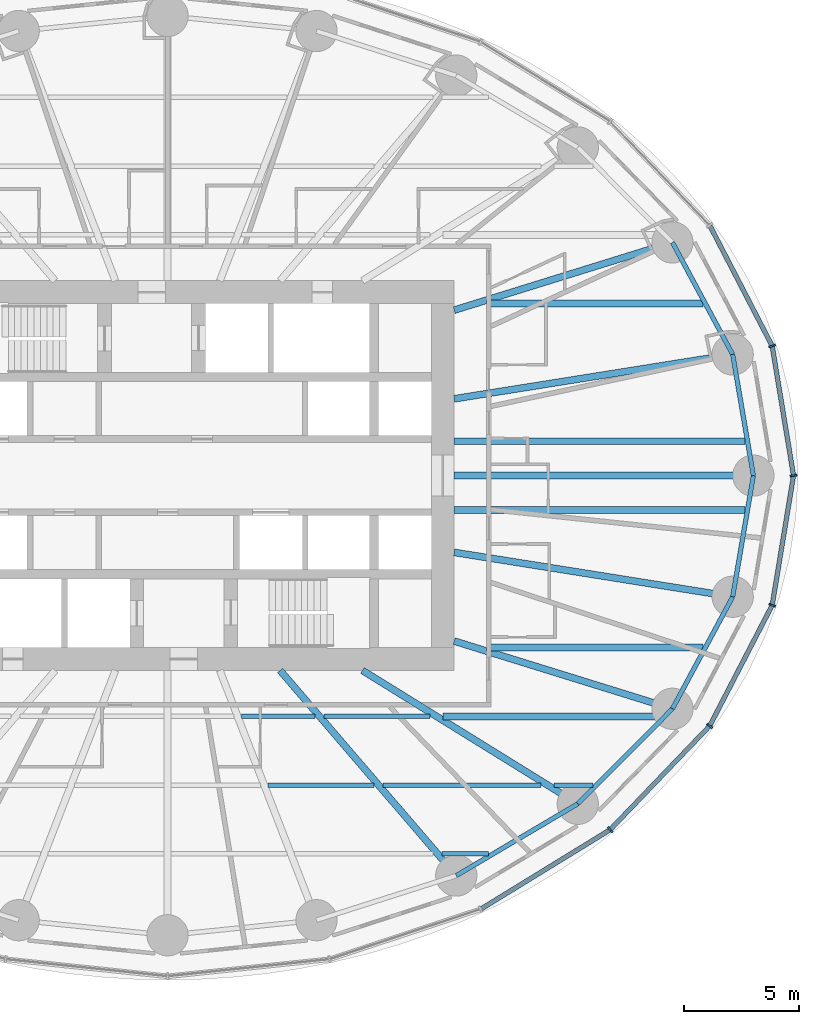
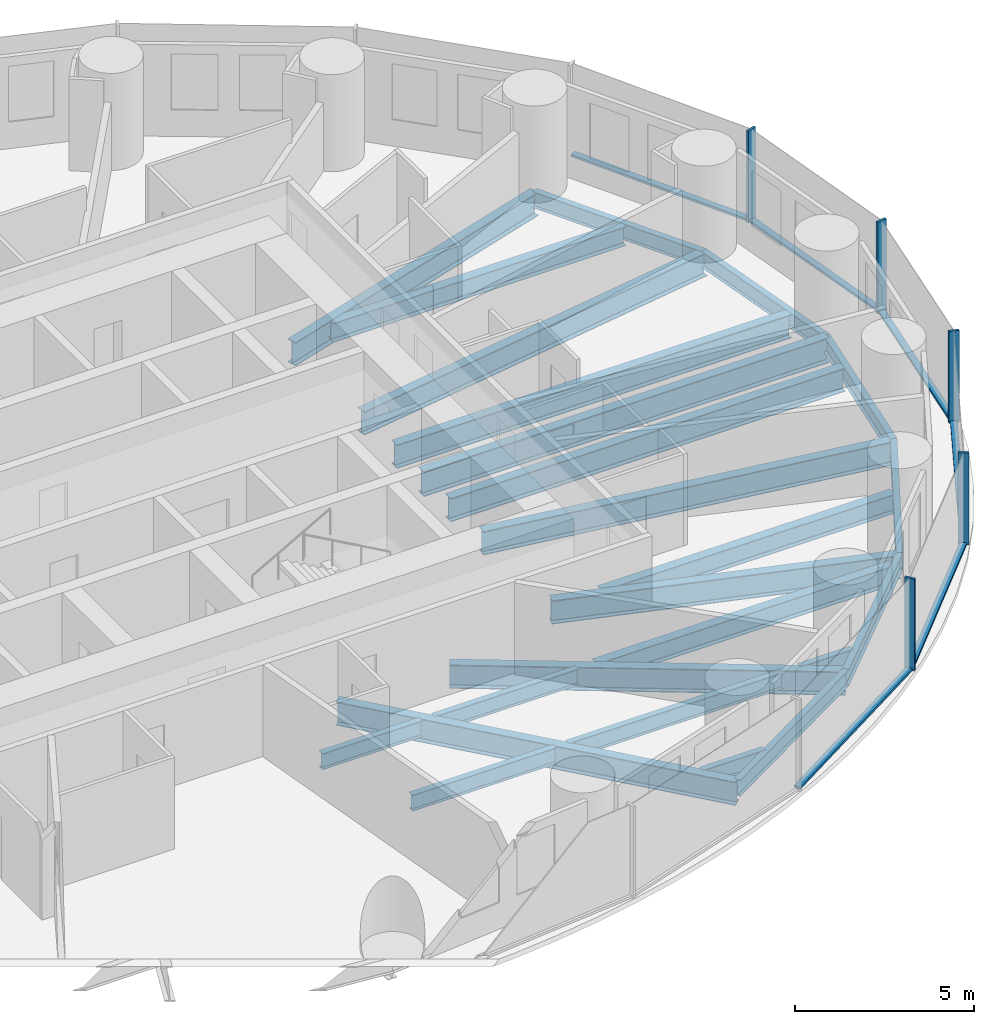
# One storey, part 3 of 13: 24 beams, 11 members, 2 elements without a shape of their own.
"""IFC4 building model written with IfcOpenShell, lengths in metres."""

from ifc_helpers import new_model, si_unit, direction, frame, origin, origin_2d, place, context, subcontext, project, spatial, rectangle, i_section, extrude, material, material_profile, profile_set, type_object, element, aggregate, save


model = new_model("IFC4")

# Units and contexts
model_context = context("Model", 3, precision=1e-05, world=origin(), true_north=direction((0.0, 1.0)))
body_context = subcontext(model_context, "Body", "Model", "MODEL_VIEW")
ifc_project = project(units=[si_unit("LENGTHUNIT", "METRE"), si_unit("AREAUNIT", "SQUARE_METRE"), si_unit("VOLUMEUNIT", "CUBIC_METRE"), si_unit("PLANEANGLEUNIT", "RADIAN"), si_unit("MASSUNIT", "GRAM", prefix="KILO")], contexts=[model_context])

# Site, building, storey
site_placement = place(None, origin())
site = spatial("IfcSite", under=ifc_project, at=site_placement, CompositionType="ELEMENT")
building_placement = place(site_placement, origin())
building = spatial("IfcBuilding", under=site, at=building_placement, Name="Hankou Lantern Tower", CompositionType="ELEMENT")
storey_placement = place(building_placement, frame((0.0, 0.0, 39.300048828125)))
storey = spatial("IfcBuildingStorey", under=building, at=storey_placement, Name="L08", CompositionType="ELEMENT", Elevation=39.300048828125)

# Beams
ifc_material_1 = material(Name="Steel Q355B", Category="steel")
ifc_material_profile_1 = material_profile(ifc_material_1, i_section(OverallWidth=0.199951171875, OverallDepth=0.550048828125, WebThickness=0.010009765625, FlangeThickness=0.01611328125, FilletRadius=0.012939453125, at=origin_2d()), Name="HN550x200x10x16")
ifc_profile_set_1 = profile_set([ifc_material_profile_1], Name="Steel Q355B")
beam_type_1 = type_object("IfcBeamType", Name="EB6 RING BEAM HN550x200x10x16", PredefinedType="SPANDREL", material=ifc_profile_set_1)
beam_1_placement = place(storey_placement, frame((25.550048828125, 0.0, -0.455078125), z_axis=(-0.168489691988, 0.985703415685, 0.0), x_axis=(-0.985703415685, -0.168489691988, 0.0)))
element("IfcBeam", 1, at=beam_1_placement, inside=storey, type_object=beam_type_1, Name="Ring beam R01-R02 L08", PredefinedType="SPANDREL", context=body_context, shape_type="SweptSolid", body=[
    extrude(i_section(OverallWidth=0.199951171875, OverallDepth=0.550048828125, WebThickness=0.010009765625, FlangeThickness=0.01611328125, FilletRadius=0.012939453125, at=origin_2d()), origin(), (0.0, 0.0, 1.0), 5.35986328125),
])
beam_2_placement = place(storey_placement, frame((24.64697265625, 5.283203125, -0.455078125), z_axis=(-0.473609096023, 0.880735161194, 0.0), x_axis=(-0.880735161194, -0.473609096023, 0.0)))
element("IfcBeam", 2, at=beam_2_placement, inside=storey, type_object=beam_type_1, Name="Ring beam R02-R03 L08", PredefinedType="SPANDREL", context=body_context, shape_type="SweptSolid", body=[
    extrude(i_section(OverallWidth=0.199951171875, OverallDepth=0.550048828125, WebThickness=0.010009765625, FlangeThickness=0.01611328125, FilletRadius=0.012939453125, at=origin_2d()), origin(), (0.0, 0.0, 1.0), 5.548828125),
])
beam_3_placement = place(storey_placement, frame((12.5908203125, -17.446533203125, -0.455078125), z_axis=(0.860881533543, 0.508805449268, 0.0), x_axis=(-0.508805449268, 0.860881533543, 0.0)))
element("IfcBeam", 3, at=beam_3_placement, inside=storey, type_object=beam_type_1, Name="Ring beam R21-R22 L08", PredefinedType="SPANDREL", context=body_context, shape_type="SweptSolid", body=[
    extrude(i_section(OverallWidth=0.199951171875, OverallDepth=0.550048828125, WebThickness=0.010009765625, FlangeThickness=0.01611328125, FilletRadius=0.012939453125, at=origin_2d()), origin(), (0.0, 0.0, 1.0), 6.15771484375),
])
beam_4_placement = place(storey_placement, frame((17.891845703125, -14.3134765625, -0.455078125), z_axis=(0.705727798394, 0.708483079949, 0.0), x_axis=(-0.708483079949, 0.705727798394, 0.0)))
element("IfcBeam", 4, at=beam_4_placement, inside=storey, type_object=beam_type_1, Name="Ring beam R22-R23 L08", PredefinedType="SPANDREL", context=body_context, shape_type="SweptSolid", body=[
    extrude(i_section(OverallWidth=0.199951171875, OverallDepth=0.550048828125, WebThickness=0.010009765625, FlangeThickness=0.01611328125, FilletRadius=0.012939453125, at=origin_2d()), origin(), (0.0, 0.0, 1.0), 5.84814453125),
])
beam_5_placement = place(storey_placement, frame((22.01904296875, -10.170166015625, -0.455078125), z_axis=(0.473609096023, 0.880735161194, 0.0), x_axis=(-0.880735161194, 0.473609096023, 0.0)))
element("IfcBeam", 5, at=beam_5_placement, inside=storey, type_object=beam_type_1, Name="Ring beam R23-R24 L08", PredefinedType="SPANDREL", context=body_context, shape_type="SweptSolid", body=[
    extrude(i_section(OverallWidth=0.199951171875, OverallDepth=0.550048828125, WebThickness=0.010009765625, FlangeThickness=0.01611328125, FilletRadius=0.012939453125, at=origin_2d()), origin(), (0.0, 0.0, 1.0), 5.548828125),
])
beam_6_placement = place(storey_placement, frame((24.64697265625, -5.283203125, -0.455078125), z_axis=(0.168489691988, 0.985703415685, 0.0), x_axis=(-0.985703415685, 0.168489691988, 0.0)))
element("IfcBeam", 6, at=beam_6_placement, inside=storey, type_object=beam_type_1, Name="Ring beam R24-R01 L08", PredefinedType="SPANDREL", context=body_context, shape_type="SweptSolid", body=[
    extrude(i_section(OverallWidth=0.199951171875, OverallDepth=0.550048828125, WebThickness=0.010009765625, FlangeThickness=0.01611328125, FilletRadius=0.012939453125, at=origin_2d()), origin(), (0.0, 0.0, 1.0), 5.35986328125),
])

# Curtain wall, members
ifc_material_2 = material(Name="Glass, dark grey tinted laminated", Category="glass")
curtain_wall_type = type_object("IfcCurtainWallType", Name="CWA OUTER SKIN LOW-RISE", PredefinedType="USERDEFINED", material=ifc_material_2)
curtain_wall_1_placement = place(storey_placement, origin())
curtain_wall_1 = element("IfcCurtainWall", 7, at=curtain_wall_1_placement, inside=storey, type_object=curtain_wall_type, Name="CWA L08 OS1", ObjectType="OUTER SKIN LOW-RISE", PredefinedType="USERDEFINED")
ifc_material_3 = material(Name="Aluminium, black anodised", Category="aluminium")
ifc_material_profile_2 = material_profile(ifc_material_3, rectangle(XDim=0.080078125, YDim=0.300048828125, at=origin_2d()), Name="MU1 80X300")
ifc_profile_set_2 = profile_set([ifc_material_profile_2], Name="Aluminium, black anodised")
member_type_1 = type_object("IfcMemberType", Name="MU1 OUTER SKIN MULLION 80X300", PredefinedType="MULLION", material=ifc_profile_set_2)
member_1_placement = place(storey_placement, frame((27.300048828125, 0.0, 0.0), z_axis=(0.0, 0.0, 1.0), x_axis=(-0.162381515188, 0.986728049427, 0.0)))
member_1 = element("IfcMember", 8, at=member_1_placement, type_object=member_type_1, Name="CWA mullion 1", PredefinedType="MULLION", context=body_context, shape_type="SweptSolid", body=[
    extrude(rectangle(XDim=0.080078125, YDim=0.300048828125, at=origin_2d()), origin(), (0.0, 0.0, 1.0), 3.119873046875),
])
member_2_placement = place(storey_placement, frame((26.369873046875, 5.652587890625, 0.0), z_axis=(0.0, 0.0, 1.0), x_axis=(-0.317595577365, 0.94822626479, 0.0)))
member_2 = element("IfcMember", 9, at=member_2_placement, type_object=member_type_1, Name="CWA mullion 2", PredefinedType="MULLION", context=body_context, shape_type="SweptSolid", body=[
    extrude(rectangle(XDim=0.080078125, YDim=0.300048828125, at=origin_2d()), origin(), (0.0, 0.0, 1.0), 3.119873046875),
])

curtain_wall_2_placement = place(storey_placement, origin())
curtain_wall_2 = element("IfcCurtainWall", 10, at=curtain_wall_2_placement, inside=storey, type_object=curtain_wall_type, Name="CWA L08 OS4", ObjectType="OUTER SKIN LOW-RISE", PredefinedType="USERDEFINED")
member_3_placement = place(storey_placement, frame((19.303955078125, -15.443115234375, 0.0), z_axis=(0.0, 0.0, 1.0), x_axis=(0.780868809444, 0.624695047553, 0.0)))
member_3 = element("IfcMember", 11, at=member_3_placement, type_object=member_type_1, Name="CWA mullion 4", PredefinedType="MULLION", context=body_context, shape_type="SweptSolid", body=[
    extrude(rectangle(XDim=0.080078125, YDim=0.300048828125, at=origin_2d()), origin(), (0.0, 0.0, 1.0), 3.119873046875),
])
member_4_placement = place(storey_placement, frame((23.642578125, -10.919921875, 0.0), z_axis=(0.0, 0.0, 1.0), x_axis=(0.585205735974, 0.810884854084, 0.0)))
member_4 = element("IfcMember", 12, at=member_4_placement, type_object=member_type_1, Name="CWA mullion 5", PredefinedType="MULLION", context=body_context, shape_type="SweptSolid", body=[
    extrude(rectangle(XDim=0.080078125, YDim=0.300048828125, at=origin_2d()), origin(), (0.0, 0.0, 1.0), 3.119873046875),
])
member_5_placement = place(storey_placement, frame((26.369873046875, -5.652587890625, 0.0), z_axis=(0.0, 0.0, 1.0), x_axis=(0.317595577365, 0.94822626479, 0.0)))
member_5 = element("IfcMember", 13, at=member_5_placement, type_object=member_type_1, Name="CWA mullion 6", PredefinedType="MULLION", context=body_context, shape_type="SweptSolid", body=[
    extrude(rectangle(XDim=0.080078125, YDim=0.300048828125, at=origin_2d()), origin(), (0.0, 0.0, 1.0), 3.119873046875),
])

# Beams
ifc_material_4 = material(Name="Steel Q355B", Category="steel")
ifc_material_profile_3 = material_profile(ifc_material_4, i_section(OverallWidth=0.300048828125, OverallDepth=0.800048828125, WebThickness=0.013916015625, FlangeThickness=0.02587890625, FilletRadius=0.01806640625, at=origin_2d()), Name="HN800x300x14x26")
ifc_profile_set_3 = profile_set([ifc_material_profile_3], Name="Steel Q355B")
beam_type_2 = type_object("IfcBeamType", Name="RB11 RADIAL BEAM HN800x300x14x26", PredefinedType="BEAM", material=ifc_profile_set_3)
beam_7_placement = place(storey_placement, frame((12.5, 3.349365234375, -0.580078125), z_axis=(0.987563081343, 0.157223281893, 0.0), x_axis=(-0.157223281893, 0.987563081343, 0.0)))
element("IfcBeam", 14, at=beam_7_placement, inside=storey, type_object=beam_type_2, Name="Radial beam R02 L08", PredefinedType="BEAM", context=body_context, shape_type="SweptSolid", body=[
    extrude(i_section(OverallWidth=0.300048828125, OverallDepth=0.800048828125, WebThickness=0.013916015625, FlangeThickness=0.02587890625, FilletRadius=0.01806640625, at=origin_2d()), origin(), (0.0, 0.0, 1.0), 12.300048828125),
])
beam_8_placement = place(storey_placement, frame((12.5, 7.216796875, -0.580078125), z_axis=(0.955087327755, 0.29632447817, 0.0), x_axis=(-0.29632447817, 0.955087327755, 0.0)))
element("IfcBeam", 15, at=beam_8_placement, inside=storey, type_object=beam_type_2, Name="Radial beam R03 L08", PredefinedType="BEAM", context=body_context, shape_type="SweptSolid", body=[
    extrude(i_section(OverallWidth=0.300048828125, OverallDepth=0.800048828125, WebThickness=0.013916015625, FlangeThickness=0.02587890625, FilletRadius=0.01806640625, at=origin_2d()), origin(), (0.0, 0.0, 1.0), 9.966552734375),
])
beam_9_placement = place(storey_placement, frame((4.907470703125, -8.5, -0.580078125), z_axis=(0.651519061225, -0.758632264579, 0.0), x_axis=(0.758632264579, 0.651519061225, 0.0)))
element("IfcBeam", 16, at=beam_9_placement, inside=storey, type_object=beam_type_2, Name="Radial beam R21 L08", PredefinedType="BEAM", context=body_context, shape_type="SweptSolid", body=[
    extrude(i_section(OverallWidth=0.300048828125, OverallDepth=0.800048828125, WebThickness=0.013916015625, FlangeThickness=0.02587890625, FilletRadius=0.01806640625, at=origin_2d()), origin(), (0.0, 0.0, 1.0), 11.79296875),
])
beam_10_placement = place(storey_placement, frame((8.5, -8.5, -0.580078125), z_axis=(0.850286343288, -0.526320372414, 0.0), x_axis=(0.526320372414, 0.850286343288, 0.0)))
element("IfcBeam", 17, at=beam_10_placement, inside=storey, type_object=beam_type_2, Name="Radial beam R22 L08", PredefinedType="BEAM", context=body_context, shape_type="SweptSolid", body=[
    extrude(i_section(OverallWidth=0.300048828125, OverallDepth=0.800048828125, WebThickness=0.013916015625, FlangeThickness=0.02587890625, FilletRadius=0.01806640625, at=origin_2d()), origin(), (0.0, 0.0, 1.0), 11.04541015625),
])
beam_11_placement = place(storey_placement, frame((12.5, -7.216796875, -0.580078125), z_axis=(0.955087327755, -0.29632447817, 0.0), x_axis=(0.29632447817, 0.955087327755, 0.0)))
element("IfcBeam", 18, at=beam_11_placement, inside=storey, type_object=beam_type_2, Name="Radial beam R23 L08", PredefinedType="BEAM", context=body_context, shape_type="SweptSolid", body=[
    extrude(i_section(OverallWidth=0.300048828125, OverallDepth=0.800048828125, WebThickness=0.013916015625, FlangeThickness=0.02587890625, FilletRadius=0.01806640625, at=origin_2d()), origin(), (0.0, 0.0, 1.0), 9.966552734375),
])
beam_12_placement = place(storey_placement, frame((12.5, -3.349365234375, -0.580078125), z_axis=(0.987563081343, -0.157223281893, 0.0), x_axis=(0.157223281893, 0.987563081343, 0.0)))
element("IfcBeam", 19, at=beam_12_placement, inside=storey, type_object=beam_type_2, Name="Radial beam R24 L08", PredefinedType="BEAM", context=body_context, shape_type="SweptSolid", body=[
    extrude(i_section(OverallWidth=0.300048828125, OverallDepth=0.800048828125, WebThickness=0.013916015625, FlangeThickness=0.02587890625, FilletRadius=0.01806640625, at=origin_2d()), origin(), (0.0, 0.0, 1.0), 12.300048828125),
])
ifc_material_5 = material(Name="Steel Q355B", Category="steel")
ifc_material_profile_4 = material_profile(ifc_material_5, i_section(OverallWidth=0.300048828125, OverallDepth=0.85009765625, WebThickness=0.01611328125, FlangeThickness=0.027099609375, FilletRadius=0.01806640625, at=origin_2d()), Name="HN850x300x16x27")
ifc_profile_set_4 = profile_set([ifc_material_profile_4], Name="Steel Q355B")
beam_type_3 = type_object("IfcBeamType", Name="RB12 RADIAL BEAM HN850x300x16x27", PredefinedType="BEAM", material=ifc_profile_set_4)
beam_13_placement = place(storey_placement, frame((12.5, 0.0, -0.60498046875), z_axis=(1.0, 0.0, 0.0), x_axis=(0.0, 1.0, 0.0)))
element("IfcBeam", 20, at=beam_13_placement, inside=storey, type_object=beam_type_3, Name="Radial beam R01 L08", PredefinedType="BEAM", context=body_context, shape_type="SweptSolid", body=[
    extrude(i_section(OverallWidth=0.300048828125, OverallDepth=0.85009765625, WebThickness=0.01611328125, FlangeThickness=0.027099609375, FilletRadius=0.01806640625, at=origin_2d()), origin(), (0.0, 0.0, 1.0), 13.050048828125),
])
ifc_material_6 = material(Name="Steel Q355B", Category="steel")
ifc_material_profile_5 = material_profile(ifc_material_6, i_section(OverallWidth=0.300048828125, OverallDepth=0.800048828125, WebThickness=0.013916015625, FlangeThickness=0.02587890625, FilletRadius=0.01806640625, at=origin_2d()), Name="HN800x300x14x26")
ifc_profile_set_5 = profile_set([ifc_material_profile_5], Name="Steel Q355B")
beam_type_4 = type_object("IfcBeamType", Name="SB11 SECONDARY BEAM HN800x300x14x26", PredefinedType="JOIST", material=ifc_profile_set_5)
for number, where, z_axis, x_axis, name in (
    (21, (12.5, -1.5, -0.580078125), (1.0, 0.0, 0.0), (0.0, 1.0, 0.0), "Floor joist J030 L08"),
    (22, (12.5, 1.5, -0.580078125), (1.0, 0.0, 0.0), (0.0, 1.0, 0.0), "Floor joist J032 L08"),
):
    element("IfcBeam", number, at=place(storey_placement, frame(where, z_axis=z_axis, x_axis=x_axis)), inside=storey, type_object=beam_type_4, Name=name, PredefinedType="JOIST", context=body_context, shape_type="SweptSolid", body=[
        extrude(i_section(OverallWidth=0.300048828125, OverallDepth=0.800048828125, WebThickness=0.013916015625, FlangeThickness=0.02587890625, FilletRadius=0.01806640625, at=origin_2d()), origin(), (0.0, 0.0, 1.0), 12.692138671875),
    ])
ifc_material_7 = material(Name="Steel Q355B", Category="steel")
ifc_material_profile_6 = material_profile(ifc_material_7, i_section(OverallWidth=0.199951171875, OverallDepth=0.550048828125, WebThickness=0.010009765625, FlangeThickness=0.01611328125, FilletRadius=0.012939453125, at=origin_2d()), Name="HN550x200x10x16")
ifc_profile_set_6 = profile_set([ifc_material_profile_6], Name="Steel Q355B")
beam_type_5 = type_object("IfcBeamType", Name="SB6 SECONDARY BEAM HN550x200x10x16", PredefinedType="JOIST", material=ifc_profile_set_6)
beam_14_placement = place(storey_placement, frame((11.975830078125, -16.5, -0.455078125), z_axis=(1.0, 0.0, 0.0), x_axis=(0.0, 1.0, 0.0)))
element("IfcBeam", 23, at=beam_14_placement, inside=storey, type_object=beam_type_5, Name="Floor joist J006 L08", PredefinedType="JOIST", context=body_context, shape_type="SweptSolid", body=[
    extrude(i_section(OverallWidth=0.199951171875, OverallDepth=0.550048828125, WebThickness=0.010009765625, FlangeThickness=0.01611328125, FilletRadius=0.012939453125, at=origin_2d()), origin(), (0.0, 0.0, 1.0), 2.019775390625),
])
beam_15_placement = place(storey_placement, frame((4.37451171875, -13.5, -0.455078125), z_axis=(1.0, 0.0, 0.0), x_axis=(0.0, 1.0, 0.0)))
element("IfcBeam", 24, at=beam_15_placement, inside=storey, type_object=beam_type_5, Name="Floor joist J012 L08", PredefinedType="JOIST", context=body_context, shape_type="SweptSolid", body=[
    extrude(i_section(OverallWidth=0.199951171875, OverallDepth=0.550048828125, WebThickness=0.010009765625, FlangeThickness=0.01611328125, FilletRadius=0.012939453125, at=origin_2d()), origin(), (0.0, 0.0, 1.0), 4.62939453125),
])
beam_16_placement = place(storey_placement, frame((9.3994140625, -13.5, -0.455078125), z_axis=(1.0, 0.0, 0.0), x_axis=(0.0, 1.0, 0.0)))
element("IfcBeam", 25, at=beam_16_placement, inside=storey, type_object=beam_type_5, Name="Floor joist J013 L08", PredefinedType="JOIST", context=body_context, shape_type="SweptSolid", body=[
    extrude(i_section(OverallWidth=0.199951171875, OverallDepth=0.550048828125, WebThickness=0.010009765625, FlangeThickness=0.01611328125, FilletRadius=0.012939453125, at=origin_2d()), origin(), (0.0, 0.0, 1.0), 6.893310546875),
])
beam_17_placement = place(storey_placement, frame((16.86279296875, -13.5, -0.455078125), z_axis=(1.0, 0.0, 0.0), x_axis=(0.0, 1.0, 0.0)))
element("IfcBeam", 26, at=beam_17_placement, inside=storey, type_object=beam_type_5, Name="Floor joist J014 L08", PredefinedType="JOIST", context=body_context, shape_type="SweptSolid", body=[
    extrude(i_section(OverallWidth=0.199951171875, OverallDepth=0.550048828125, WebThickness=0.010009765625, FlangeThickness=0.01611328125, FilletRadius=0.012939453125, at=origin_2d()), origin(), (0.0, 0.0, 1.0), 1.697998046875),
])
beam_18_placement = place(storey_placement, frame((3.212890625, -10.5, -0.455078125), z_axis=(1.0, 0.0, 0.0), x_axis=(0.0, 1.0, 0.0)))
element("IfcBeam", 27, at=beam_18_placement, inside=storey, type_object=beam_type_5, Name="Floor joist J020 L08", PredefinedType="JOIST", context=body_context, shape_type="SweptSolid", body=[
    extrude(i_section(OverallWidth=0.199951171875, OverallDepth=0.550048828125, WebThickness=0.010009765625, FlangeThickness=0.01611328125, FilletRadius=0.012939453125, at=origin_2d()), origin(), (0.0, 0.0, 1.0), 3.214599609375),
])
beam_19_placement = place(storey_placement, frame((6.82275390625, -10.5, -0.455078125), z_axis=(1.0, 0.0, 0.0), x_axis=(0.0, 1.0, 0.0)))
element("IfcBeam", 28, at=beam_19_placement, inside=storey, type_object=beam_type_5, Name="Floor joist J021 L08", PredefinedType="JOIST", context=body_context, shape_type="SweptSolid", body=[
    extrude(i_section(OverallWidth=0.199951171875, OverallDepth=0.550048828125, WebThickness=0.010009765625, FlangeThickness=0.01611328125, FilletRadius=0.012939453125, at=origin_2d()), origin(), (0.0, 0.0, 1.0), 4.623291015625),
])
ifc_material_8 = material(Name="Steel Q355B", Category="steel")
ifc_material_profile_7 = material_profile(ifc_material_8, i_section(OverallWidth=0.300048828125, OverallDepth=0.64990234375, WebThickness=0.010986328125, FlangeThickness=0.01708984375, FilletRadius=0.01806640625, at=origin_2d()), Name="HN650x300x11x17")
ifc_profile_set_7 = profile_set([ifc_material_profile_7], Name="Steel Q355B")
beam_type_6 = type_object("IfcBeamType", Name="SB8 SECONDARY BEAM HN650x300x11x17", PredefinedType="JOIST", material=ifc_profile_set_7)
beam_20_placement = place(storey_placement, frame((12.01611328125, -10.5, -0.505126953125), z_axis=(1.0, 0.0, 0.0), x_axis=(0.0, 1.0, 0.0)))
element("IfcBeam", 29, at=beam_20_placement, inside=storey, type_object=beam_type_6, Name="Floor joist J022 L08", PredefinedType="JOIST", context=body_context, shape_type="SweptSolid", body=[
    extrude(i_section(OverallWidth=0.300048828125, OverallDepth=0.64990234375, WebThickness=0.010986328125, FlangeThickness=0.01708984375, FilletRadius=0.01806640625, at=origin_2d()), origin(), (0.0, 0.0, 1.0), 9.533203125),
])
for number, where, z_axis, x_axis, name in (
    (30, (13.918701171875, -7.5, -0.505126953125), (1.0, 0.0, 0.0), (0.0, 1.0, 0.0), "Floor joist J024 L08"),
    (31, (13.918701171875, 7.5, -0.505126953125), (1.0, 0.0, 0.0), (0.0, 1.0, 0.0), "Floor joist J038 L08"),
):
    element("IfcBeam", number, at=place(storey_placement, frame(where, z_axis=z_axis, x_axis=x_axis)), inside=storey, type_object=beam_type_6, Name=name, PredefinedType="JOIST", context=body_context, shape_type="SweptSolid", body=[
        extrude(i_section(OverallWidth=0.300048828125, OverallDepth=0.64990234375, WebThickness=0.010986328125, FlangeThickness=0.01708984375, FilletRadius=0.01806640625, at=origin_2d()), origin(), (0.0, 0.0, 1.0), 9.4228515625),
    ])

# Member
ifc_material_9 = material(Name="Aluminium, black anodised", Category="aluminium")
ifc_material_profile_8 = material_profile(ifc_material_9, rectangle(XDim=0.199951171875, YDim=0.080078125, at=origin_2d()), Name="TR1 200X80")
ifc_profile_set_8 = profile_set([ifc_material_profile_8], Name="Aluminium, black anodised")
member_type_2 = type_object("IfcMemberType", Name="TR1 OUTER SKIN TRANSOM 200X80", PredefinedType="USERDEFINED", material=ifc_profile_set_8)
member_6_placement = place(storey_placement, frame((27.29345703125, 0.03955078125, 0.0400390625), z_axis=(-0.162387045529, 0.986727139307, 0.0), x_axis=(-0.986727139307, -0.162387045529, 0.0)))
member_6 = element("IfcMember", 32, at=member_6_placement, type_object=member_type_2, Name="CWA transom 1", ObjectType="TRANSOM", PredefinedType="USERDEFINED", context=body_context, shape_type="SweptSolid", body=[
    extrude(rectangle(XDim=0.199951171875, YDim=0.080078125, at=origin_2d()), origin(), (0.0, 0.0, 1.0), 5.6484375),
])

member_7_placement = place(storey_placement, frame((26.351318359375, 5.688232421875, 0.0400390625), z_axis=(-0.459786096495, 0.888029698529, 0.0), x_axis=(-0.888029698529, -0.459786096495, 0.0)))
member_7 = element("IfcMember", 33, at=member_7_placement, type_object=member_type_2, Name="CWA transom 2", ObjectType="TRANSOM", PredefinedType="USERDEFINED", context=body_context, shape_type="SweptSolid", body=[
    extrude(rectangle(XDim=0.199951171875, YDim=0.080078125, at=origin_2d()), origin(), (0.0, 0.0, 1.0), 5.8515625),
])

aggregate(curtain_wall_1, [member_1, member_2, member_6, member_7])

member_8_placement = place(storey_placement, frame((13.68408203125, -18.89306640625, 0.0400390625), z_axis=(0.85223969557, 0.523151508929, 0.0), x_axis=(-0.523151508929, 0.85223969557, 0.0)))
member_8 = element("IfcMember", 34, at=member_8_placement, type_object=member_type_2, Name="CWA transom 3", ObjectType="TRANSOM", PredefinedType="USERDEFINED", context=body_context, shape_type="SweptSolid", body=[
    extrude(rectangle(XDim=0.199951171875, YDim=0.080078125, at=origin_2d()), origin(), (0.0, 0.0, 1.0), 6.554443359375),
])

member_9_placement = place(storey_placement, frame((19.331787109375, -15.414306640625, 0.0400390625), z_axis=(0.692215537374, 0.721690827029, 0.0), x_axis=(-0.721690827029, 0.692215537374, 0.0)))
member_9 = element("IfcMember", 35, at=member_9_placement, type_object=member_type_2, Name="CWA transom 4", ObjectType="TRANSOM", PredefinedType="USERDEFINED", context=body_context, shape_type="SweptSolid", body=[
    extrude(rectangle(XDim=0.199951171875, YDim=0.080078125, at=origin_2d()), origin(), (0.0, 0.0, 1.0), 6.187255859375),
])

member_10_placement = place(storey_placement, frame((23.660888671875, -10.884521484375, 0.0400390625), z_axis=(0.459786096495, 0.888029698529, 0.0), x_axis=(-0.888029698529, 0.459786096495, 0.0)))
member_10 = element("IfcMember", 36, at=member_10_placement, type_object=member_type_2, Name="CWA transom 5", ObjectType="TRANSOM", PredefinedType="USERDEFINED", context=body_context, shape_type="SweptSolid", body=[
    extrude(rectangle(XDim=0.199951171875, YDim=0.080078125, at=origin_2d()), origin(), (0.0, 0.0, 1.0), 5.8515625),
])

member_11_placement = place(storey_placement, frame((26.376220703125, -5.613037109375, 0.0400390625), z_axis=(0.162387045529, 0.986727139307, 0.0), x_axis=(-0.986727139307, 0.162387045529, 0.0)))
member_11 = element("IfcMember", 37, at=member_11_placement, type_object=member_type_2, Name="CWA transom 6", ObjectType="TRANSOM", PredefinedType="USERDEFINED", context=body_context, shape_type="SweptSolid", body=[
    extrude(rectangle(XDim=0.199951171875, YDim=0.080078125, at=origin_2d()), origin(), (0.0, 0.0, 1.0), 5.6484375),
])

aggregate(curtain_wall_2, [member_3, member_4, member_5, member_8, member_9, member_10, member_11])

save(model, "model.ifc")
